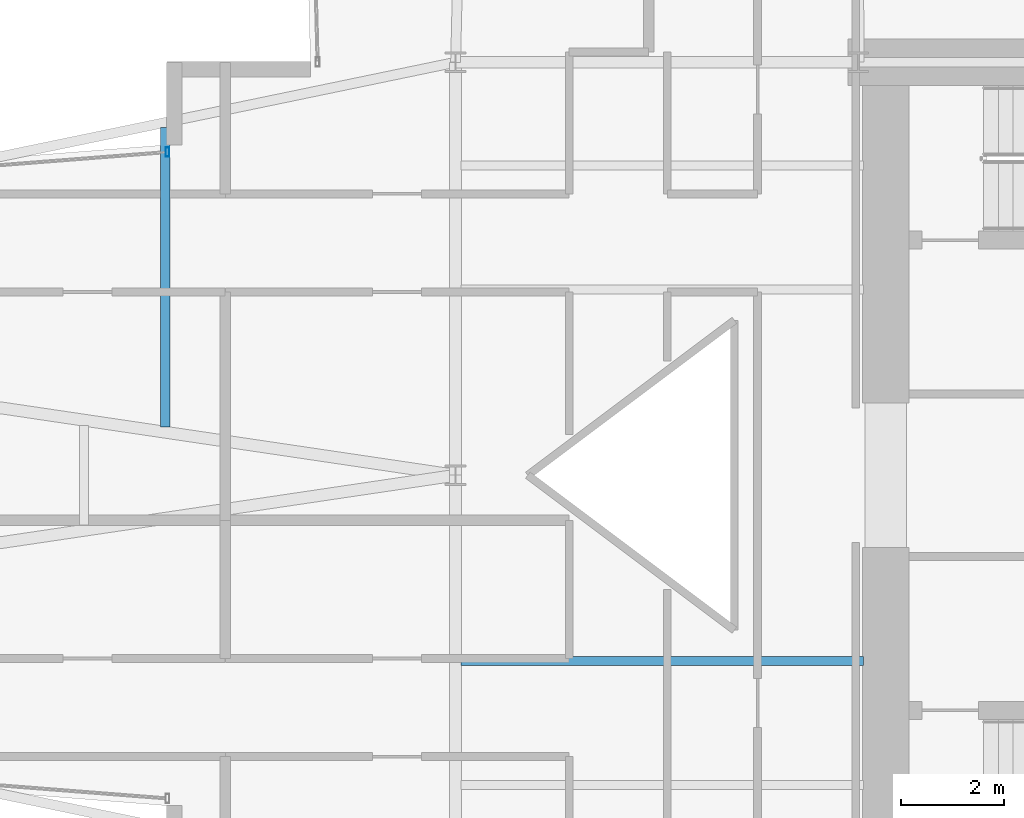
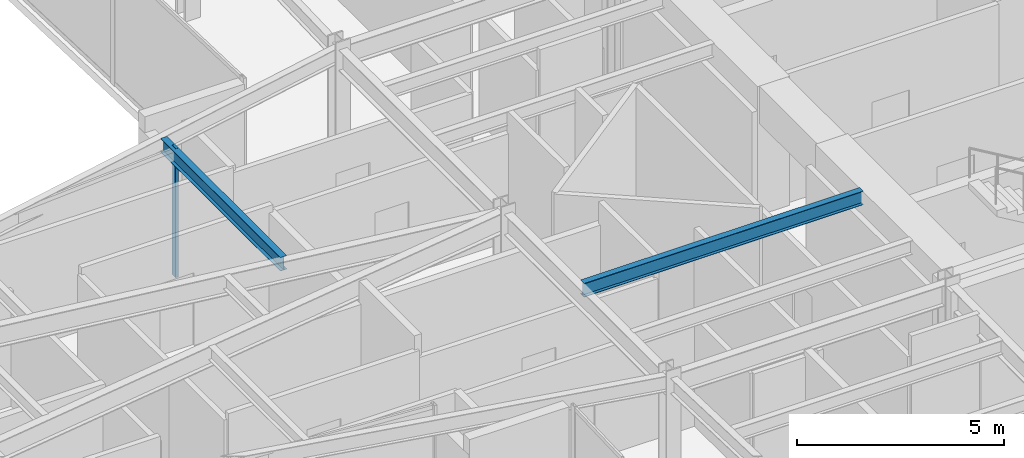
# One storey, part 12 of 30: 2 beams, 1 member, 1 element without a shape of its own.
"""IFC4 building model written with IfcOpenShell, lengths in metres."""

from ifc_helpers import new_model, si_unit, direction, frame, origin, origin_2d, place, context, subcontext, project, spatial, hollow_rectangle, i_section, extrude, material, layer, layer_set, material_profile, profile_set, type_object, element, aggregate, save


model = new_model("IFC4")

# Units and contexts
model_context = context("Model", 3, precision=1e-05, world=origin(), true_north=direction((0.0, 1.0)))
body_context = subcontext(model_context, "Body", "Model", "MODEL_VIEW")
ifc_project = project(units=[si_unit("LENGTHUNIT", "METRE"), si_unit("AREAUNIT", "SQUARE_METRE"), si_unit("VOLUMEUNIT", "CUBIC_METRE"), si_unit("PLANEANGLEUNIT", "RADIAN"), si_unit("MASSUNIT", "GRAM", prefix="KILO")], contexts=[model_context])

# Site, building, storey
site_placement = place(None, origin())
site = spatial("IfcSite", under=ifc_project, at=site_placement, CompositionType="ELEMENT")
building_placement = place(site_placement, origin())
building = spatial("IfcBuilding", under=site, at=building_placement, Name="Veymaron Broadcast Tower", CompositionType="ELEMENT")
storey_placement = place(building_placement, frame((0.0, 0.0, 66.14990234375)))
storey = spatial("IfcBuildingStorey", under=building, at=storey_placement, Name="L14", CompositionType="ELEMENT", Elevation=66.14990234375)

# Beams
ifc_material_1 = material(Name="Structural steel ASTM A992 Gr 50", Category="steel")
ifc_material_profile_1 = material_profile(ifc_material_1, i_section(OverallWidth=0.177978515625, OverallDepth=0.406982421875, WebThickness=0.0078125, FlangeThickness=0.0126953125, at=origin_2d()), Name="W410X60")
ifc_profile_set_1 = profile_set([ifc_material_profile_1], Name="Structural steel ASTM A992 Gr 50")
beam_type = type_object("IfcBeamType", Name="BM-JS1", PredefinedType="JOIST", material=ifc_profile_set_1)
beam_1_placement = place(storey_placement, frame((25.57421875, 24.933837890625, 3.606689453125), z_axis=(0.0, 1.0, 0.0), x_axis=(-1.0, 0.0, 0.0)))
element("IfcBeam", 1, at=beam_1_placement, inside=storey, type_object=beam_type, Name="L14 Arm-A secondary joist 2N", PredefinedType="JOIST", context=body_context, shape_type="SweptSolid", body=[
    extrude(i_section(OverallWidth=0.177978515625, OverallDepth=0.406982421875, WebThickness=0.0078125, FlangeThickness=0.0126953125, at=origin_2d()), origin(), (0.0, 0.0, 1.0), 5.800048828125),
])
beam_2_placement = place(storey_placement, frame((31.300048828125, 20.39990234375, 3.606689453125), z_axis=(1.0, 0.0, 0.0), x_axis=(0.0, 1.0, 0.0)))
element("IfcBeam", 2, at=beam_2_placement, inside=storey, type_object=beam_type, Name="L14 Hub secondary joist 2", PredefinedType="JOIST", context=body_context, shape_type="SweptSolid", body=[
    extrude(i_section(OverallWidth=0.177978515625, OverallDepth=0.406982421875, WebThickness=0.0078125, FlangeThickness=0.0126953125, at=origin_2d()), origin(), (0.0, 0.0, 1.0), 7.800048828125),
])

# Curtain wall, member
ifc_material_2 = material(Name="Anodised aluminium AA 6063-T6 and laminated low-E dark glass", Category="aluminium")
ifc_layer = layer(ifc_material_2, 0.179931640625)
ifc_layer_set = layer_set([ifc_layer], Name="Anodised aluminium AA 6063-T6 and laminated low-E dark glass")
curtain_wall_type = type_object("IfcCurtainWallType", Name="CW-SYS-02", PredefinedType="NOTDEFINED", material=ifc_layer_set)
curtain_wall_placement = place(storey_placement, origin())
curtain_wall = element("IfcCurtainWall", 3, at=curtain_wall_placement, inside=storey, type_object=curtain_wall_type, Name="L14 dark-glass curtain wall CW-L14-E11-1", PredefinedType="NOTDEFINED")
ifc_material_3 = material(Name="Anodised aluminium AA 6063-T6", Category="aluminium")
ifc_material_profile_2 = material_profile(ifc_material_3, hollow_rectangle(XDim=0.074951171875, YDim=0.179931640625, WallThickness=0.0048828125, at=origin_2d()), Name="AL180X75X5")
ifc_profile_set_2 = profile_set([ifc_material_profile_2], Name="Anodised aluminium AA 6063-T6")
member_type = type_object("IfcMemberType", Name="CW-MUL-02", PredefinedType="MULLION", material=ifc_profile_set_2)
member_placement = place(storey_placement, frame((25.618896484375, 30.2607421875, 0.0), z_axis=(0.0, 0.0, 1.0), x_axis=(1.0, 0.0, 0.0)))
member = element("IfcMember", 4, at=member_placement, type_object=member_type, Name="CW-L14-E11-1 mullion 0", PredefinedType="MULLION", context=body_context, shape_type="SweptSolid", body=[
    extrude(hollow_rectangle(XDim=0.074951171875, YDim=0.179931640625, WallThickness=0.0048828125, at=origin_2d()), origin(), (0.0, 0.0, 1.0), 3.81005859375),
])
aggregate(curtain_wall, [member])

save(model, "model.ifc")
